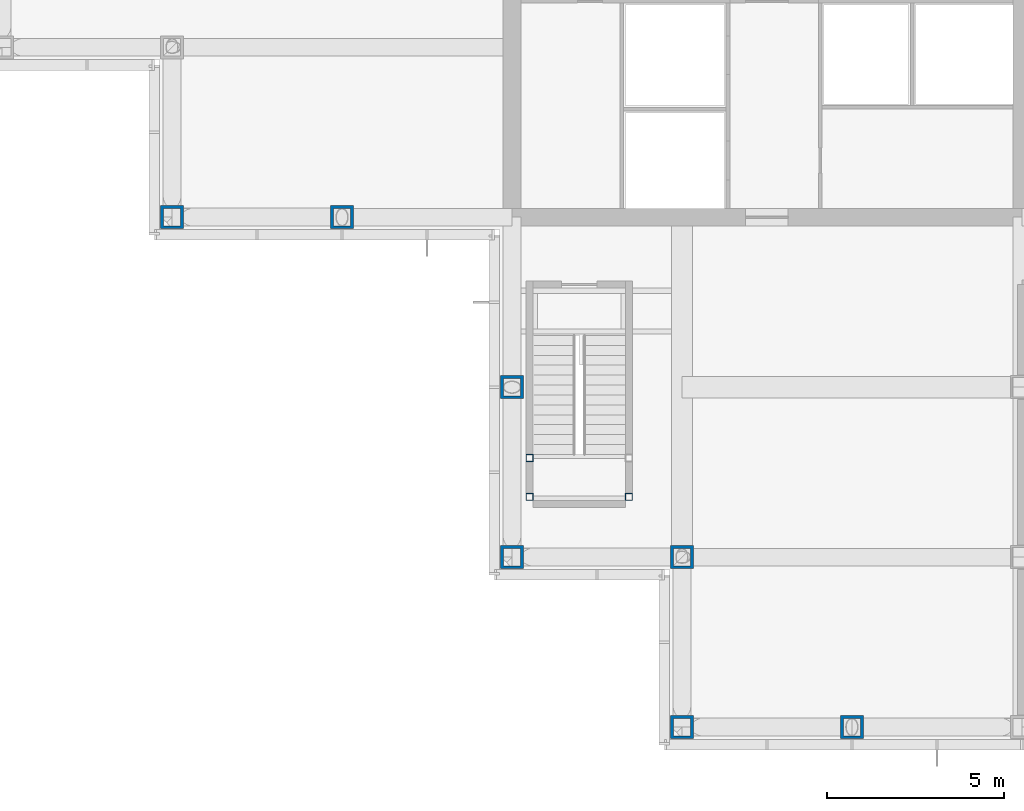
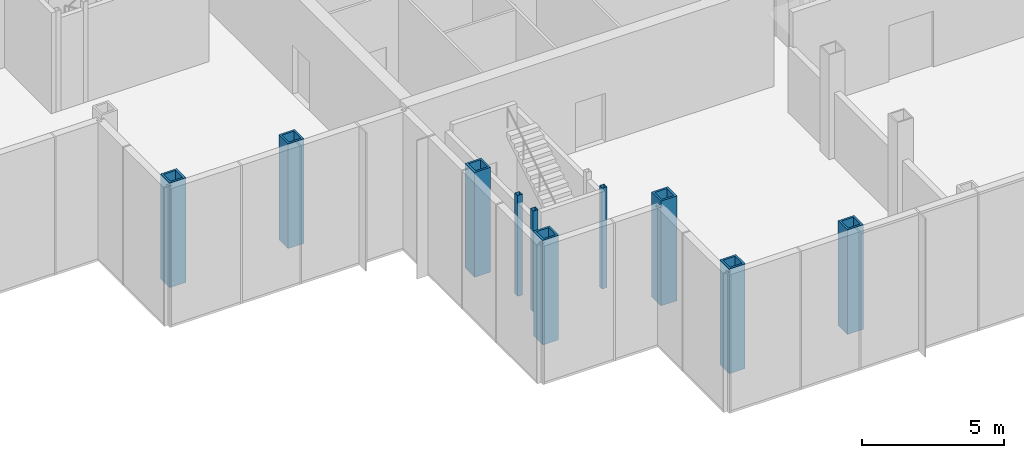
# One storey, part 1 of 17: 10 columns.
"""IFC4 building model written with IfcOpenShell, lengths in metres."""

from ifc_helpers import new_model, si_unit, direction, frame, origin, origin_2d, place, context, subcontext, project, spatial, hollow_rectangle, extrude, material, material_profile, profile_set, type_object, element, save


model = new_model("IFC4")

# Units and contexts
model_context = context("Model", 3, precision=1e-05, world=origin(), true_north=direction((0.0, 1.0)))
body_context = subcontext(model_context, "Body", "Model", "MODEL_VIEW")
ifc_project = project(units=[si_unit("LENGTHUNIT", "METRE"), si_unit("AREAUNIT", "SQUARE_METRE"), si_unit("VOLUMEUNIT", "CUBIC_METRE"), si_unit("PLANEANGLEUNIT", "RADIAN"), si_unit("MASSUNIT", "GRAM", prefix="KILO")], contexts=[model_context])

# Site, building, storey
site_placement = place(None, origin())
site = spatial("IfcSite", under=ifc_project, at=site_placement, CompositionType="ELEMENT")
building_placement = place(site_placement, origin())
building = spatial("IfcBuilding", under=site, at=building_placement, Name="Kvirike Care Tower", CompositionType="ELEMENT")
storey_placement = place(building_placement, frame((0.0, 0.0, 136.5)))
storey = spatial("IfcBuildingStorey", under=building, at=storey_placement, Name="L37", CompositionType="ELEMENT", Elevation=136.5)

# Columns
ifc_material_1 = material(Name="Steel S460", Category="steel")
ifc_material_profile_1 = material_profile(ifc_material_1, hollow_rectangle(XDim=0.64990234375, YDim=0.64990234375, WallThickness=0.080078125, at=origin_2d()), Name="BX 650x650x80")
ifc_profile_set_1 = profile_set([ifc_material_profile_1], Name="Steel S460")
column_type_1 = type_object("IfcColumnType", Name="COLUMN BX 650x650x80", PredefinedType="COLUMN", material=ifc_profile_set_1)
for number, where, z_axis, x_axis, name in (
    (1, (4.800048828125, 28.800048828125, 0.0), (0.0, 0.0, 1.0), (0.0, 1.0, 0.0), "Column G4 L37"),
    (2, (9.60009765625, 28.800048828125, 0.0), (0.0, 0.0, 1.0), (0.0, 1.0, 0.0), "Column G5 L37"),
    (3, (14.39990234375, 19.199951171875, 0.0), (0.0, 0.0, 1.0), (0.0, 1.0, 0.0), "Column E6 L37"),
    (4, (14.39990234375, 24.0, 0.0), (0.0, 0.0, 1.0), (1.0, 0.0, 0.0), "Column F6 L37"),
    (5, (19.199951171875, 14.39990234375, 0.0), (0.0, 0.0, 1.0), (0.0, 1.0, 0.0), "Column D7 L37"),
    (6, (19.199951171875, 19.199951171875, 0.0), (0.0, 0.0, 1.0), (0.0, 1.0, 0.0), "Column E7 L37"),
    (7, (24.0, 14.39990234375, 0.0), (0.0, 0.0, 1.0), (0.0, 1.0, 0.0), "Column D8 L37"),
):
    element("IfcColumn", number, at=place(storey_placement, frame(where, z_axis=z_axis, x_axis=x_axis)), inside=storey, type_object=column_type_1, Name=name, PredefinedType="COLUMN", context=body_context, shape_type="SweptSolid", body=[
        extrude(hollow_rectangle(XDim=0.64990234375, YDim=0.64990234375, WallThickness=0.080078125, at=origin_2d()), origin(), (0.0, 0.0, 1.0), 4.5),
    ])
ifc_material_2 = material(Name="Steel S460", Category="steel")
ifc_material_profile_2 = material_profile(ifc_material_2, hollow_rectangle(XDim=0.199951171875, YDim=0.199951171875, WallThickness=0.008056640625, at=origin_2d()), Name="SHS 200x200x8")
ifc_profile_set_2 = profile_set([ifc_material_profile_2], Name="Steel S460")
column_type_2 = type_object("IfcColumnType", Name="STAIR POST SHS 200x200x8", PredefinedType="COLUMN", material=ifc_profile_set_2)
for number, where, z_axis, x_axis, name in (
    (8, (14.89990234375, 20.89990234375, 0.0), (0.0, 0.0, 1.0), (1.0, 0.0, 0.0), "Stair 5 post 1 L37"),
    (9, (17.699951171875, 20.89990234375, 0.0), (0.0, 0.0, 1.0), (1.0, 0.0, 0.0), "Stair 5 post 2 L37"),
    (10, (14.89990234375, 22.0, 0.0), (0.0, 0.0, 1.0), (1.0, 0.0, 0.0), "Stair 5 post 3 L37"),
):
    element("IfcColumn", number, at=place(storey_placement, frame(where, z_axis=z_axis, x_axis=x_axis)), inside=storey, type_object=column_type_2, Name=name, PredefinedType="COLUMN", context=body_context, shape_type="SweptSolid", body=[
        extrude(hollow_rectangle(XDim=0.199951171875, YDim=0.199951171875, WallThickness=0.008056640625, at=origin_2d()), origin(), (0.0, 0.0, 1.0), 4.330078125),
    ])

save(model, "model.ifc")
